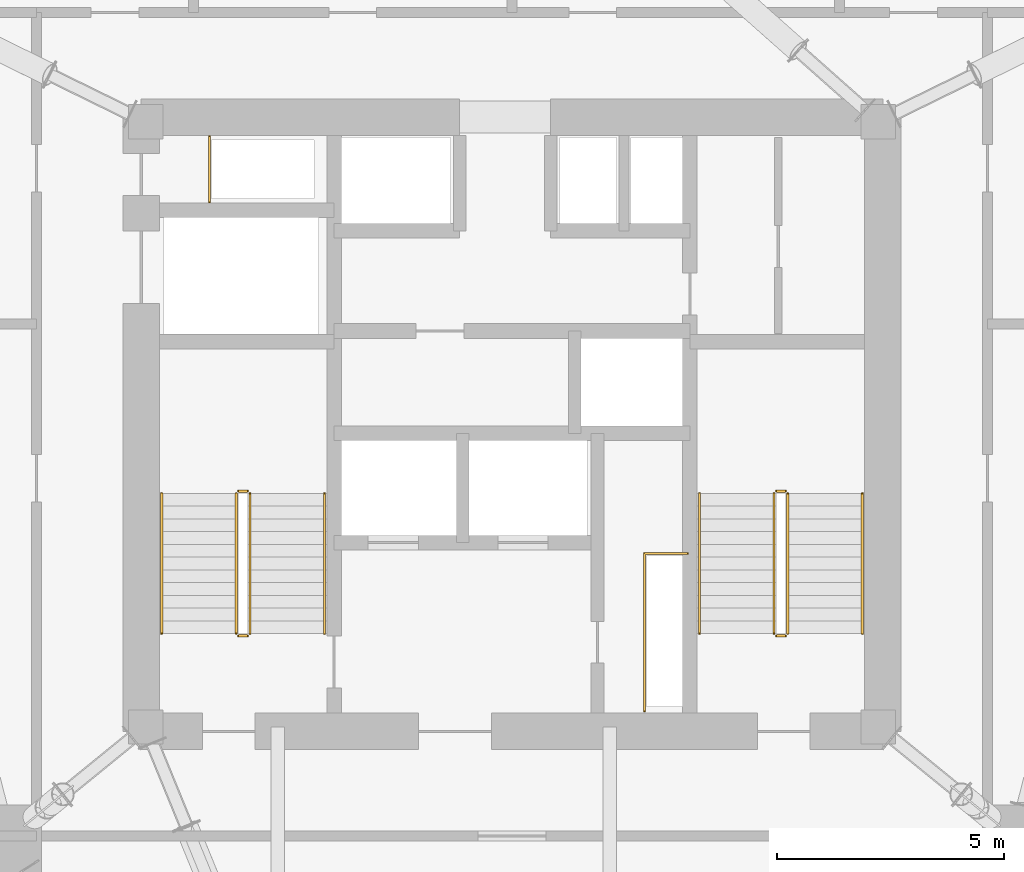
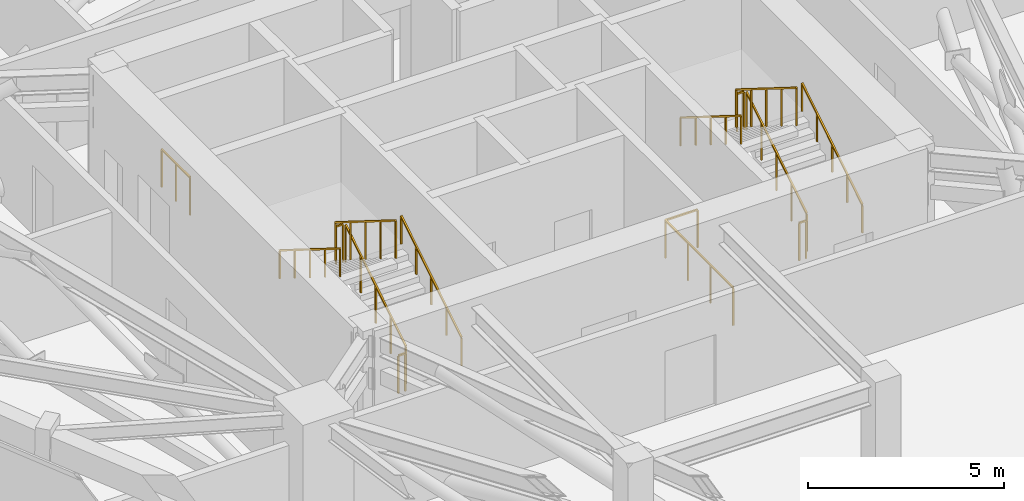
# One storey, part 13 of 13: 14 railings.
"""IFC4 building model written with IfcOpenShell, lengths in metres."""

import ifcopenshell
import ifcopenshell.guid

model = None  # the IFC model being written
_history = None  # IfcOwnerHistory: only IFC2X3 demands one
_inside = {}  # id of a spatial element -> (the spatial element, [elements in it])
_under = {}  # id of a project, library or spatial element -> (it, [spatial elements below it])
_declared = {}  # id of a project -> (the project, [libraries it declares])
_typed = {}  # id of a type object -> (the type object, [elements of that type])
_made_of = {}  # id of a material, layer set ... -> (it, [elements and type objects made of it])


def new_model(schema):
    """Start an empty IFC model of exactly this schema.

    Asked for "IFC4X3", IfcOpenShell would pick the latest addendum, in which some entities
    have other attributes; the version numbers below select the first issue.
    IFC2X3 requires an IfcOwnerHistory on every rooted entity: one is made here for all.
    """
    global model, _history
    if schema == "IFC4X3":
        model = ifcopenshell.file(schema_version=(4, 3, 0, 0))
    else:
        model = ifcopenshell.file(schema=schema)
    _inside.clear()
    _under.clear()
    _declared.clear()
    _typed.clear()
    _made_of.clear()
    _history = None
    if model.schema == "IFC2X3":
        org = make("IfcOrganization", Name="unknown")
        user = make(
            "IfcPersonAndOrganization",
            ThePerson=make("IfcPerson", FamilyName="unknown"),
            TheOrganization=org,
        )
        app = make(
            "IfcApplication",
            ApplicationDeveloper=org,
            Version="unknown",
            ApplicationFullName="unknown",
            ApplicationIdentifier="unknown",
        )
        _history = make(
            "IfcOwnerHistory",
            OwningUser=user,
            OwningApplication=app,
            ChangeAction="ADDED",
            CreationDate=0,
        )
    return model


def make(cls, **values):
    """One entity of the class cls with the attributes given. An attribute that is None is left unset."""
    return model.create_entity(
        cls, **{name: value for name, value in values.items() if value is not None}
    )


def rooted(cls, **values):
    """An entity with a GlobalId (a new one), such as an element, a storey or a relation."""
    return make(cls, GlobalId=ifcopenshell.guid.new(), OwnerHistory=_history, **values)


def si_unit(unit_type, name, prefix=None):
    """IfcSIUnit, for example si_unit("LENGTHUNIT", "METRE", prefix="MILLI")."""
    return make("IfcSIUnit", UnitType=unit_type, Prefix=prefix, Name=name)


def assignment(units):
    """IfcUnitAssignment: the units of a project."""
    return None if units is None else make("IfcUnitAssignment", Units=units)


def point(xyz):
    """IfcCartesianPoint."""
    return None if xyz is None else make("IfcCartesianPoint", Coordinates=xyz)


def direction(xyz):
    """IfcDirection."""
    return None if xyz is None else make("IfcDirection", DirectionRatios=xyz)


def frame(location, z_axis=None, x_axis=None):
    """IfcAxis2Placement3D, a coordinate frame: its origin and axes. An axis left out is left unset."""
    return make(
        "IfcAxis2Placement3D",
        Location=point(location),
        Axis=direction(z_axis),
        RefDirection=direction(x_axis),
    )


def frame_2d(location, x_axis=None):
    """IfcAxis2Placement2D, a coordinate frame in the plane: its origin and x axis."""
    return make(
        "IfcAxis2Placement2D", Location=point(location), RefDirection=direction(x_axis)
    )


def origin():
    """The frame at (0, 0, 0) with its axes left unset."""
    return frame((0.0, 0.0, 0.0))


def origin_2d():
    """The frame at (0, 0) in the plane with its x axis left unset."""
    return frame_2d((0.0, 0.0))


def place(relative_to, where):
    """IfcLocalPlacement: puts the frame where relative to a parent placement (None: the world)."""
    return make(
        "IfcLocalPlacement", PlacementRelTo=relative_to, RelativePlacement=where
    )


def context(
    kind, dimensions, precision=None, world=None, true_north=None, identifier=None
):
    """IfcGeometricRepresentationContext, for example the 3D "Model" context."""
    return make(
        "IfcGeometricRepresentationContext",
        ContextIdentifier=identifier,
        ContextType=kind,
        CoordinateSpaceDimension=dimensions,
        Precision=precision,
        WorldCoordinateSystem=world,
        TrueNorth=true_north,
    )


def subcontext(parent, identifier, kind, view, scale=None):
    """IfcGeometricRepresentationSubContext, for example "Body" below "Model"."""
    return make(
        "IfcGeometricRepresentationSubContext",
        ContextIdentifier=identifier,
        ContextType=kind,
        ParentContext=parent,
        TargetScale=scale,
        TargetView=view,
    )


def project(units=None, contexts=None):
    """IfcProject with its units and contexts."""
    return rooted(
        "IfcProject",
        Name="project",
        RepresentationContexts=contexts,
        UnitsInContext=assignment(units),
    )


def spatial(cls, under=None, at=None, **own):
    """A site, building, storey or space (cls), placed at a placement, below another one or the project."""
    s = rooted(cls, ObjectPlacement=at, **own)
    if under is not None:
        _under.setdefault(under.id(), (under, []))[1].append(s)
    return s


def profile(cls, at=None, kind="AREA", **sizes):
    """A parametric profile (cls). Its sizes go by their IFC names, for example OverallWidth=200.0."""
    return make(cls, ProfileType=kind, Position=at, **sizes)


def rectangle(**sizes):
    """IfcRectangleProfileDef."""
    return profile("IfcRectangleProfileDef", **sizes)


def extrude(swept, where, along, depth):
    """IfcExtrudedAreaSolid: the profile swept, set in the frame where, extruded along a direction by depth."""
    return make(
        "IfcExtrudedAreaSolid",
        SweptArea=swept,
        Position=where,
        ExtrudedDirection=direction(along),
        Depth=depth,
    )


def shape(context_of_items, identifier, shape_type, items):
    """IfcShapeRepresentation: the items that make up one representation, for example the "Body"."""
    return make(
        "IfcShapeRepresentation",
        ContextOfItems=context_of_items,
        RepresentationIdentifier=identifier,
        RepresentationType=shape_type,
        Items=items,
    )


def material(Name=None, Category=None):
    """IfcMaterial."""
    return make("IfcMaterial", Name=Name, Category=Category)


def made_of(thing, what):
    """Note that an element or type object is made of a material, layer set ...; save() writes the relation."""
    if what is not None:
        _made_of.setdefault(what.id(), (what, []))[1].append(thing)
    return thing


def type_object(cls, material=None, **own):
    """A type object (cls), such as IfcWallType, which elements share."""
    return made_of(rooted(cls, **own), material)


def element(
    cls,
    number,
    at=None,
    inside=None,
    cuts=None,
    type_object=None,
    material=None,
    context=None,
    identifier="Body",
    shape_type=None,
    held_by="IfcProductDefinitionShape",
    body=None,
    shapes=None,
    **own,
):
    """One element of the class cls, such as IfcWall. Its Tag is "e" and its number.

    at: its placement. inside: the storey or other place that contains it. cuts: it is an
    opening in that element (IfcRelVoidsElement). A single representation is given by context,
    identifier, shape_type and body (its items); several are given by shapes. held_by: the class
    of the entity that holds the representations. save() writes the other relations.
    """
    e = rooted(cls, Tag="e%d" % number, ObjectPlacement=at, **own)
    if body is not None:
        shapes = [shape(context, identifier, shape_type, body)]
    if shapes is not None:
        e.Representation = make(held_by, Representations=shapes)
    if inside is not None:
        _inside.setdefault(inside.id(), (inside, []))[1].append(e)
    if cuts is not None:
        rooted(
            "IfcRelVoidsElement", RelatingBuildingElement=cuts, RelatedOpeningElement=e
        )
    if type_object is not None:
        _typed.setdefault(type_object.id(), (type_object, []))[1].append(e)
    return made_of(e, material)


def aggregate(whole, parts):
    """IfcRelAggregates: a whole, such as a stair, and the parts it consists of."""
    return rooted("IfcRelAggregates", RelatingObject=whole, RelatedObjects=parts)


def save(model, path):
    """Write the relations noted so far, then the file.

    IfcRelAggregates (storeys below a building ...), IfcRelContainedInSpatialStructure (elements
    in a storey), IfcRelDefinesByType, IfcRelAssociatesMaterial and IfcRelDeclares: one each for
    every whole, place, type object, material and project.
    """
    for whole, parts in _under.values():
        aggregate(whole, parts)
    for where, things in _inside.values():
        rooted(
            "IfcRelContainedInSpatialStructure",
            RelatedElements=things,
            RelatingStructure=where,
        )
    for kind, things in _typed.values():
        rooted("IfcRelDefinesByType", RelatedObjects=things, RelatingType=kind)
    for what, things in _made_of.values():
        rooted("IfcRelAssociatesMaterial", RelatedObjects=things, RelatingMaterial=what)
    for by, libraries in _declared.values():
        rooted("IfcRelDeclares", RelatingContext=by, RelatedDefinitions=libraries)
    model.write(path)


model = new_model("IFC4")

# Units and contexts
model_context = context("Model", 3, precision=1e-05, world=origin(), true_north=direction((0.0, 1.0)))
body_context = subcontext(model_context, "Body", "Model", "MODEL_VIEW")
ifc_project = project(units=[si_unit("LENGTHUNIT", "METRE"), si_unit("AREAUNIT", "SQUARE_METRE"), si_unit("VOLUMEUNIT", "CUBIC_METRE"), si_unit("PLANEANGLEUNIT", "RADIAN"), si_unit("MASSUNIT", "GRAM", prefix="KILO")], contexts=[model_context])

# Site, building, storey
site_placement = place(None, origin())
site = spatial("IfcSite", under=ifc_project, at=site_placement, CompositionType="ELEMENT")
building_placement = place(site_placement, origin())
building = spatial("IfcBuilding", under=site, at=building_placement, Name="Talyreon Biosciences Tower", CompositionType="ELEMENT")
storey_placement = place(building_placement, frame((0.0, 0.0, 175.199951171875)))
storey = spatial("IfcBuildingStorey", under=building, at=storey_placement, Name="L46", CompositionType="ELEMENT", Elevation=175.199951171875)

# Railings
ifc_material_1 = material(Name="Brushed stainless-steel tubular handrail", Category="steel")
railing_type_1 = type_object("IfcRailingType", Name="StairWallHandrail_900", PredefinedType="HANDRAIL", material=ifc_material_1)
railing_1_placement = place(storey_placement, frame((61.8798828125, 63.39990234375, 0.175048828125)))
element("IfcRailing", 1, at=railing_1_placement, inside=storey, type_object=railing_type_1, Name="L46 ST-1 stair handrail 1", PredefinedType="HANDRAIL", context=body_context, shape_type="SweptSolid", body=[
    extrude(rectangle(XDim=0.048095703125, YDim=0.048095703125, at=origin_2d()), frame((0.0, 0.0, 0.8759765625), z_axis=(0.0, 0.847998304005, 0.529998940003), x_axis=(-1.0, 0.0, 0.0)), (0.0, 0.0, 1.0), 3.632080078125),
    extrude(rectangle(XDim=0.0419921875, YDim=0.0419921875, at=origin_2d()), origin(), (0.0, 0.0, 1.0), 0.851806640625),
    extrude(rectangle(XDim=0.0419921875, YDim=0.0419921875, at=origin_2d()), frame((0.0, 0.77001953125, 0.481201171875)), (0.0, 0.0, 1.0), 0.851806640625),
    extrude(rectangle(XDim=0.0419921875, YDim=0.0419921875, at=origin_2d()), frame((0.0, 1.5400390625, 0.96240234375)), (0.0, 0.0, 1.0), 0.851806640625),
    extrude(rectangle(XDim=0.0419921875, YDim=0.0419921875, at=origin_2d()), frame((0.0, 2.31005859375, 1.44384765625)), (0.0, 0.0, 1.0), 0.851806640625),
    extrude(rectangle(XDim=0.0419921875, YDim=0.0419921875, at=origin_2d()), frame((0.0, 3.080078125, 1.925048828125)), (0.0, 0.0, 1.0), 0.851806640625),
])
railing_2_placement = place(storey_placement, frame((58.300048828125, 66.47998046875, 2.275146484375)))
element("IfcRailing", 2, at=railing_2_placement, inside=storey, type_object=railing_type_1, Name="L46 ST-1 stair handrail 2", PredefinedType="HANDRAIL", context=body_context, shape_type="SweptSolid", body=[
    extrude(rectangle(XDim=0.048095703125, YDim=0.048095703125, at=origin_2d()), frame((0.0, 0.0, 0.8759765625), z_axis=(0.0, -0.848028513186, 0.529950602248), x_axis=(1.0, 0.0, 0.0)), (0.0, 0.0, 1.0), 3.632080078125),
    extrude(rectangle(XDim=0.0419921875, YDim=0.0419921875, at=origin_2d()), origin(), (0.0, 0.0, 1.0), 0.851806640625),
    extrude(rectangle(XDim=0.0419921875, YDim=0.0419921875, at=origin_2d()), frame((0.0, -0.77001953125, 0.481201171875)), (0.0, 0.0, 1.0), 0.851806640625),
    extrude(rectangle(XDim=0.0419921875, YDim=0.0419921875, at=origin_2d()), frame((0.0, -1.5400390625, 0.96240234375)), (0.0, 0.0, 1.0), 0.851806640625),
    extrude(rectangle(XDim=0.0419921875, YDim=0.0419921875, at=origin_2d()), frame((0.0, -2.31005859375, 1.443603515625)), (0.0, 0.0, 1.0), 0.851806640625),
    extrude(rectangle(XDim=0.0419921875, YDim=0.0419921875, at=origin_2d()), frame((0.0, -3.080078125, 1.9248046875)), (0.0, 0.0, 1.0), 0.851806640625),
])
railing_3_placement = place(storey_placement, frame((73.699951171875, 63.39990234375, 0.175048828125)))
element("IfcRailing", 3, at=railing_3_placement, inside=storey, type_object=railing_type_1, Name="L46 ST-2 stair handrail 1", PredefinedType="HANDRAIL", context=body_context, shape_type="SweptSolid", body=[
    extrude(rectangle(XDim=0.048095703125, YDim=0.048095703125, at=origin_2d()), frame((0.0, 0.0, 0.8759765625), z_axis=(0.0, 0.847998304005, 0.529998940003), x_axis=(-1.0, 0.0, 0.0)), (0.0, 0.0, 1.0), 3.632080078125),
    extrude(rectangle(XDim=0.0419921875, YDim=0.0419921875, at=origin_2d()), origin(), (0.0, 0.0, 1.0), 0.851806640625),
    extrude(rectangle(XDim=0.0419921875, YDim=0.0419921875, at=origin_2d()), frame((0.0, 0.77001953125, 0.481201171875)), (0.0, 0.0, 1.0), 0.851806640625),
    extrude(rectangle(XDim=0.0419921875, YDim=0.0419921875, at=origin_2d()), frame((0.0, 1.5400390625, 0.96240234375)), (0.0, 0.0, 1.0), 0.851806640625),
    extrude(rectangle(XDim=0.0419921875, YDim=0.0419921875, at=origin_2d()), frame((0.0, 2.31005859375, 1.44384765625)), (0.0, 0.0, 1.0), 0.851806640625),
    extrude(rectangle(XDim=0.0419921875, YDim=0.0419921875, at=origin_2d()), frame((0.0, 3.080078125, 1.925048828125)), (0.0, 0.0, 1.0), 0.851806640625),
])
railing_4_placement = place(storey_placement, frame((70.1201171875, 66.47998046875, 2.275146484375)))
element("IfcRailing", 4, at=railing_4_placement, inside=storey, type_object=railing_type_1, Name="L46 ST-2 stair handrail 2", PredefinedType="HANDRAIL", context=body_context, shape_type="SweptSolid", body=[
    extrude(rectangle(XDim=0.048095703125, YDim=0.048095703125, at=origin_2d()), frame((0.0, 0.0, 0.8759765625), z_axis=(0.0, -0.848028513186, 0.529950602248), x_axis=(1.0, 0.0, 0.0)), (0.0, 0.0, 1.0), 3.632080078125),
    extrude(rectangle(XDim=0.0419921875, YDim=0.0419921875, at=origin_2d()), origin(), (0.0, 0.0, 1.0), 0.851806640625),
    extrude(rectangle(XDim=0.0419921875, YDim=0.0419921875, at=origin_2d()), frame((0.0, -0.77001953125, 0.481201171875)), (0.0, 0.0, 1.0), 0.851806640625),
    extrude(rectangle(XDim=0.0419921875, YDim=0.0419921875, at=origin_2d()), frame((0.0, -1.5400390625, 0.96240234375)), (0.0, 0.0, 1.0), 0.851806640625),
    extrude(rectangle(XDim=0.0419921875, YDim=0.0419921875, at=origin_2d()), frame((0.0, -2.31005859375, 1.443603515625)), (0.0, 0.0, 1.0), 0.851806640625),
    extrude(rectangle(XDim=0.0419921875, YDim=0.0419921875, at=origin_2d()), frame((0.0, -3.080078125, 1.9248046875)), (0.0, 0.0, 1.0), 0.851806640625),
])
ifc_material_2 = material(Name="Painted galvanised steel post-and-rail balustrade", Category="steel")
railing_type_2 = type_object("IfcRailingType", Name="TerraceStairGuard_1200", PredefinedType="GUARDRAIL", material=ifc_material_2)
railing_5_placement = place(storey_placement, frame((60.239990234375, 63.39990234375, 0.175048828125)))
element("IfcRailing", 5, at=railing_5_placement, inside=storey, type_object=railing_type_2, Name="L46 ST-1 stair guard 1", PredefinedType="GUARDRAIL", context=body_context, shape_type="SweptSolid", body=[
    extrude(rectangle(XDim=0.048095703125, YDim=0.048095703125, at=origin_2d()), frame((0.0, 0.0, 1.17578125), z_axis=(0.0, 0.847998304005, 0.529998940003), x_axis=(-1.0, 0.0, 0.0)), (0.0, 0.0, 1.0), 3.632080078125),
    extrude(rectangle(XDim=0.0419921875, YDim=0.0419921875, at=origin_2d()), origin(), (0.0, 0.0, 1.0), 1.15185546875),
    extrude(rectangle(XDim=0.0419921875, YDim=0.0419921875, at=origin_2d()), frame((0.0, 0.77001953125, 0.481201171875)), (0.0, 0.0, 1.0), 1.15185546875),
    extrude(rectangle(XDim=0.0419921875, YDim=0.0419921875, at=origin_2d()), frame((0.0, 1.5400390625, 0.96240234375)), (0.0, 0.0, 1.0), 1.15185546875),
    extrude(rectangle(XDim=0.0419921875, YDim=0.0419921875, at=origin_2d()), frame((0.0, 2.31005859375, 1.44384765625)), (0.0, 0.0, 1.0), 1.15185546875),
    extrude(rectangle(XDim=0.0419921875, YDim=0.0419921875, at=origin_2d()), frame((0.0, 3.080078125, 1.925048828125)), (0.0, 0.0, 1.0), 1.15185546875),
])
railing_6_placement = place(storey_placement, frame((60.18994140625, 66.530029296875, 2.10009765625)))
element("IfcRailing", 6, at=railing_6_placement, inside=storey, type_object=railing_type_2, Name="L46 ST-1 stair guard 2", PredefinedType="GUARDRAIL", context=body_context, shape_type="SweptSolid", body=[
    extrude(rectangle(XDim=0.048095703125, YDim=0.048095703125, at=origin_2d()), frame((0.0, 0.0, 1.17578125), z_axis=(-1.0, 0.0, 0.0), x_axis=(0.0, -1.0, 0.0)), (0.0, 0.0, 1.0), 0.199951171875),
    extrude(rectangle(XDim=0.0419921875, YDim=0.0419921875, at=origin_2d()), origin(), (0.0, 0.0, 1.0), 1.15185546875),
    extrude(rectangle(XDim=0.0419921875, YDim=0.0419921875, at=origin_2d()), frame((-0.199951171875, 0.0, 0.0)), (0.0, 0.0, 1.0), 1.15185546875),
])
railing_7_placement = place(storey_placement, frame((59.93994140625, 66.47998046875, 2.275146484375)))
element("IfcRailing", 7, at=railing_7_placement, inside=storey, type_object=railing_type_2, Name="L46 ST-1 stair guard 3", PredefinedType="GUARDRAIL", context=body_context, shape_type="SweptSolid", body=[
    extrude(rectangle(XDim=0.048095703125, YDim=0.048095703125, at=origin_2d()), frame((0.0, 0.0, 1.17578125), z_axis=(0.0, -0.848028513186, 0.529950602248), x_axis=(1.0, 0.0, 0.0)), (0.0, 0.0, 1.0), 3.632080078125),
    extrude(rectangle(XDim=0.0419921875, YDim=0.0419921875, at=origin_2d()), origin(), (0.0, 0.0, 1.0), 1.15185546875),
    extrude(rectangle(XDim=0.0419921875, YDim=0.0419921875, at=origin_2d()), frame((0.0, -0.77001953125, 0.481201171875)), (0.0, 0.0, 1.0), 1.15185546875),
    extrude(rectangle(XDim=0.0419921875, YDim=0.0419921875, at=origin_2d()), frame((0.0, -1.5400390625, 0.96240234375)), (0.0, 0.0, 1.0), 1.15185546875),
    extrude(rectangle(XDim=0.0419921875, YDim=0.0419921875, at=origin_2d()), frame((0.0, -2.31005859375, 1.443603515625)), (0.0, 0.0, 1.0), 1.15185546875),
    extrude(rectangle(XDim=0.0419921875, YDim=0.0419921875, at=origin_2d()), frame((0.0, -3.080078125, 1.9248046875)), (0.0, 0.0, 1.0), 1.15185546875),
])
railing_8_placement = place(storey_placement, frame((60.18994140625, 63.35009765625, 0.0)))
element("IfcRailing", 8, at=railing_8_placement, inside=storey, type_object=railing_type_2, Name="L46 ST-1 stair guard 4", PredefinedType="GUARDRAIL", context=body_context, shape_type="SweptSolid", body=[
    extrude(rectangle(XDim=0.048095703125, YDim=0.048095703125, at=origin_2d()), frame((0.0, 0.0, 1.17578125), z_axis=(-1.0, 0.0, 0.0), x_axis=(0.0, -1.0, 0.0)), (0.0, 0.0, 1.0), 0.199951171875),
    extrude(rectangle(XDim=0.0419921875, YDim=0.0419921875, at=origin_2d()), origin(), (0.0, 0.0, 1.0), 1.15185546875),
    extrude(rectangle(XDim=0.0419921875, YDim=0.0419921875, at=origin_2d()), frame((-0.199951171875, 0.0, 0.0)), (0.0, 0.0, 1.0), 1.15185546875),
])
railing_9_placement = place(storey_placement, frame((72.06005859375, 63.39990234375, 0.175048828125)))
element("IfcRailing", 9, at=railing_9_placement, inside=storey, type_object=railing_type_2, Name="L46 ST-2 stair guard 1", PredefinedType="GUARDRAIL", context=body_context, shape_type="SweptSolid", body=[
    extrude(rectangle(XDim=0.048095703125, YDim=0.048095703125, at=origin_2d()), frame((0.0, 0.0, 1.17578125), z_axis=(0.0, 0.847998304005, 0.529998940003), x_axis=(-1.0, 0.0, 0.0)), (0.0, 0.0, 1.0), 3.632080078125),
    extrude(rectangle(XDim=0.0419921875, YDim=0.0419921875, at=origin_2d()), origin(), (0.0, 0.0, 1.0), 1.15185546875),
    extrude(rectangle(XDim=0.0419921875, YDim=0.0419921875, at=origin_2d()), frame((0.0, 0.77001953125, 0.481201171875)), (0.0, 0.0, 1.0), 1.15185546875),
    extrude(rectangle(XDim=0.0419921875, YDim=0.0419921875, at=origin_2d()), frame((0.0, 1.5400390625, 0.96240234375)), (0.0, 0.0, 1.0), 1.15185546875),
    extrude(rectangle(XDim=0.0419921875, YDim=0.0419921875, at=origin_2d()), frame((0.0, 2.31005859375, 1.44384765625)), (0.0, 0.0, 1.0), 1.15185546875),
    extrude(rectangle(XDim=0.0419921875, YDim=0.0419921875, at=origin_2d()), frame((0.0, 3.080078125, 1.925048828125)), (0.0, 0.0, 1.0), 1.15185546875),
])
railing_10_placement = place(storey_placement, frame((72.010009765625, 66.530029296875, 2.10009765625)))
element("IfcRailing", 10, at=railing_10_placement, inside=storey, type_object=railing_type_2, Name="L46 ST-2 stair guard 2", PredefinedType="GUARDRAIL", context=body_context, shape_type="SweptSolid", body=[
    extrude(rectangle(XDim=0.048095703125, YDim=0.048095703125, at=origin_2d()), frame((0.0, 0.0, 1.17578125), z_axis=(-1.0, 0.0, 0.0), x_axis=(0.0, -1.0, 0.0)), (0.0, 0.0, 1.0), 0.199951171875),
    extrude(rectangle(XDim=0.0419921875, YDim=0.0419921875, at=origin_2d()), origin(), (0.0, 0.0, 1.0), 1.15185546875),
    extrude(rectangle(XDim=0.0419921875, YDim=0.0419921875, at=origin_2d()), frame((-0.199951171875, 0.0, 0.0)), (0.0, 0.0, 1.0), 1.15185546875),
])
railing_11_placement = place(storey_placement, frame((71.760009765625, 66.47998046875, 2.275146484375)))
element("IfcRailing", 11, at=railing_11_placement, inside=storey, type_object=railing_type_2, Name="L46 ST-2 stair guard 3", PredefinedType="GUARDRAIL", context=body_context, shape_type="SweptSolid", body=[
    extrude(rectangle(XDim=0.048095703125, YDim=0.048095703125, at=origin_2d()), frame((0.0, 0.0, 1.17578125), z_axis=(0.0, -0.848028513186, 0.529950602248), x_axis=(1.0, 0.0, 0.0)), (0.0, 0.0, 1.0), 3.632080078125),
    extrude(rectangle(XDim=0.0419921875, YDim=0.0419921875, at=origin_2d()), origin(), (0.0, 0.0, 1.0), 1.15185546875),
    extrude(rectangle(XDim=0.0419921875, YDim=0.0419921875, at=origin_2d()), frame((0.0, -0.77001953125, 0.481201171875)), (0.0, 0.0, 1.0), 1.15185546875),
    extrude(rectangle(XDim=0.0419921875, YDim=0.0419921875, at=origin_2d()), frame((0.0, -1.5400390625, 0.96240234375)), (0.0, 0.0, 1.0), 1.15185546875),
    extrude(rectangle(XDim=0.0419921875, YDim=0.0419921875, at=origin_2d()), frame((0.0, -2.31005859375, 1.443603515625)), (0.0, 0.0, 1.0), 1.15185546875),
    extrude(rectangle(XDim=0.0419921875, YDim=0.0419921875, at=origin_2d()), frame((0.0, -3.080078125, 1.9248046875)), (0.0, 0.0, 1.0), 1.15185546875),
])
railing_12_placement = place(storey_placement, frame((72.010009765625, 63.35009765625, 0.0)))
element("IfcRailing", 12, at=railing_12_placement, inside=storey, type_object=railing_type_2, Name="L46 ST-2 stair guard 4", PredefinedType="GUARDRAIL", context=body_context, shape_type="SweptSolid", body=[
    extrude(rectangle(XDim=0.048095703125, YDim=0.048095703125, at=origin_2d()), frame((0.0, 0.0, 1.17578125), z_axis=(-1.0, 0.0, 0.0), x_axis=(0.0, -1.0, 0.0)), (0.0, 0.0, 1.0), 0.199951171875),
    extrude(rectangle(XDim=0.0419921875, YDim=0.0419921875, at=origin_2d()), origin(), (0.0, 0.0, 1.0), 1.15185546875),
    extrude(rectangle(XDim=0.0419921875, YDim=0.0419921875, at=origin_2d()), frame((-0.199951171875, 0.0, 0.0)), (0.0, 0.0, 1.0), 1.15185546875),
])
railing_13_placement = place(storey_placement, frame((59.35009765625, 72.8798828125, 0.0)))
element("IfcRailing", 13, at=railing_13_placement, inside=storey, type_object=railing_type_2, Name="L46 Exhaust Riser Maintenance Guardrail", PredefinedType="GUARDRAIL", context=body_context, shape_type="SweptSolid", body=[
    extrude(rectangle(XDim=0.048095703125, YDim=0.048095703125, at=origin_2d()), frame((0.0, 0.0, 1.17578125), z_axis=(0.0, 1.0, 0.0), x_axis=(-1.0, 0.0, 0.0)), (0.0, 0.0, 1.0), 1.4501953125),
    extrude(rectangle(XDim=0.0419921875, YDim=0.0419921875, at=origin_2d()), origin(), (0.0, 0.0, 1.0), 1.15185546875),
    extrude(rectangle(XDim=0.0419921875, YDim=0.0419921875, at=origin_2d()), frame((0.0, 0.72509765625, 0.0)), (0.0, 0.0, 1.0), 1.15185546875),
    extrude(rectangle(XDim=0.0419921875, YDim=0.0419921875, at=origin_2d()), frame((0.0, 1.4501953125, 0.0)), (0.0, 0.0, 1.0), 1.15185546875),
])
railing_14_placement = place(storey_placement, frame((68.909912109375, 61.699951171875, 0.0)))
element("IfcRailing", 14, at=railing_14_placement, inside=storey, type_object=railing_type_2, Name="L46 Electrical Riser Maintenance Guardrail", PredefinedType="GUARDRAIL", context=body_context, shape_type="SweptSolid", body=[
    extrude(rectangle(XDim=0.048095703125, YDim=0.048095703125, at=origin_2d()), frame((0.0, 0.0, 1.17578125), z_axis=(0.0, 1.0, 0.0), x_axis=(-1.0, 0.0, 0.0)), (0.0, 0.0, 1.0), 3.4599609375),
    extrude(rectangle(XDim=0.048095703125, YDim=0.048095703125, at=origin_2d()), frame((0.0, 3.4599609375, 1.17578125), z_axis=(1.0, 0.0, 0.0), x_axis=(0.0, 1.0, 0.0)), (0.0, 0.0, 1.0), 0.9501953125),
    extrude(rectangle(XDim=0.0419921875, YDim=0.0419921875, at=origin_2d()), origin(), (0.0, 0.0, 1.0), 1.15185546875),
    extrude(rectangle(XDim=0.0419921875, YDim=0.0419921875, at=origin_2d()), frame((0.0, 1.1533203125, 0.0)), (0.0, 0.0, 1.0), 1.15185546875),
    extrude(rectangle(XDim=0.0419921875, YDim=0.0419921875, at=origin_2d()), frame((0.0, 2.306640625, 0.0)), (0.0, 0.0, 1.0), 1.15185546875),
    extrude(rectangle(XDim=0.0419921875, YDim=0.0419921875, at=origin_2d()), frame((0.0, 3.4599609375, 0.0)), (0.0, 0.0, 1.0), 1.15185546875),
    extrude(rectangle(XDim=0.0419921875, YDim=0.0419921875, at=origin_2d()), frame((0.9501953125, 3.4599609375, 0.0)), (0.0, 0.0, 1.0), 1.15185546875),
])

save(model, "model.ifc")
